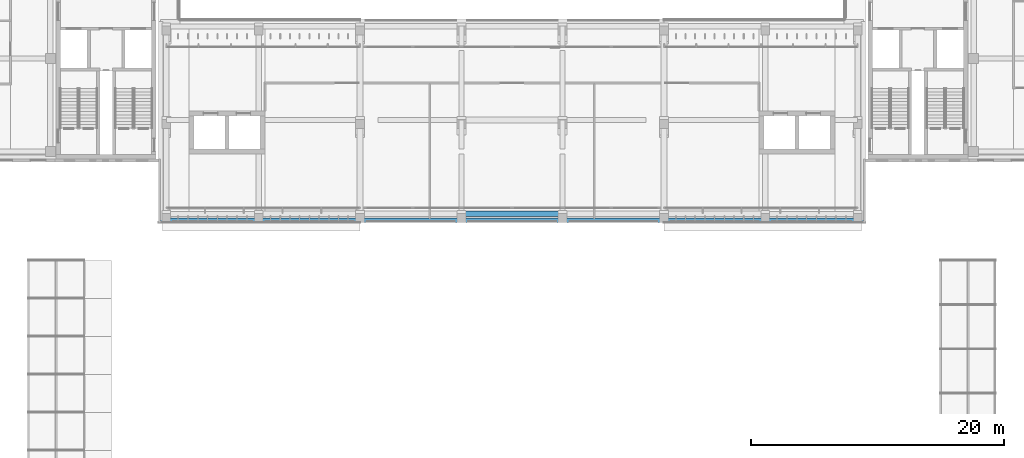
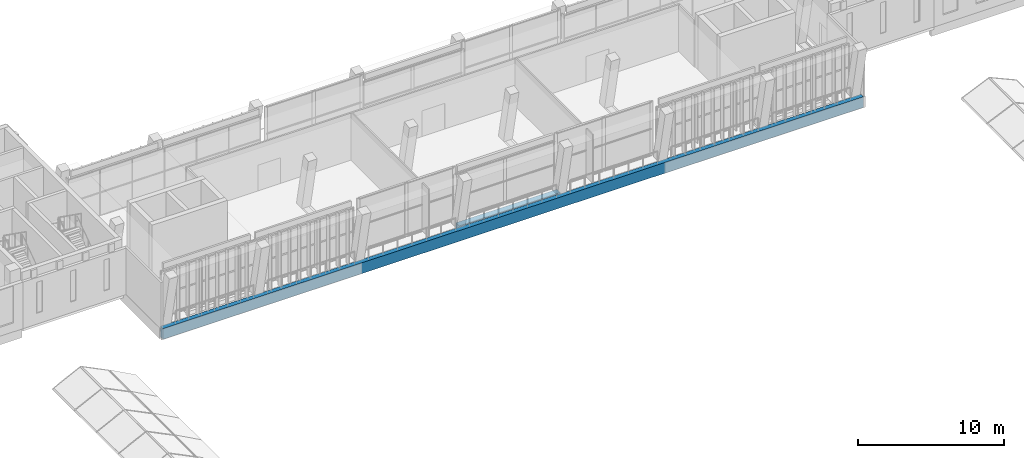
# One storey, part 5 of 73: 2 beams.
"""IFC4 building model written with IfcOpenShell, lengths in metres."""

from ifc_helpers import new_model, si_unit, direction, frame, origin, origin_2d, place, context, subcontext, project, spatial, rectangle, extrude, material, material_profile, profile_set, type_object, element, save


model = new_model("IFC4")

# Units and contexts
model_context = context("Model", 3, precision=1e-05, world=origin(), true_north=direction((0.0, 1.0)))
body_context = subcontext(model_context, "Body", "Model", "MODEL_VIEW")
ifc_project = project(units=[si_unit("LENGTHUNIT", "METRE"), si_unit("AREAUNIT", "SQUARE_METRE"), si_unit("VOLUMEUNIT", "CUBIC_METRE"), si_unit("PLANEANGLEUNIT", "RADIAN"), si_unit("MASSUNIT", "GRAM", prefix="KILO")], contexts=[model_context])

# Site, building, storey
site_placement = place(None, origin())
site = spatial("IfcSite", under=ifc_project, at=site_placement, CompositionType="ELEMENT")
building_placement = place(site_placement, origin())
building = spatial("IfcBuilding", under=site, at=building_placement, Name="Lantern Court Media Centre", CompositionType="ELEMENT")
storey_placement = place(building_placement, frame((0.0, 0.0, 24.0)))
storey = spatial("IfcBuildingStorey", under=building, at=storey_placement, Name="L05", CompositionType="ELEMENT", Elevation=24.0)

# Beams
ifc_material = material(Name="Concrete C35", Category="concrete")
ifc_material_profile_1 = material_profile(ifc_material, rectangle(XDim=0.35009765625, YDim=0.89990234375, at=origin_2d()), Name="RC 350x900")
ifc_profile_set_1 = profile_set([ifc_material_profile_1], Name="Concrete C35")
beam_type_1 = type_object("IfcBeamType", Name="RC BEAM 350x900", PredefinedType="BEAM", material=ifc_profile_set_1)
beam_1_placement = place(storey_placement, frame((24.25, 43.14990234375, -0.449951171875), z_axis=(1.0, 0.0, 0.0), x_axis=(0.0, 1.0, 0.0)))
element("IfcBeam", 1, at=beam_1_placement, inside=storey, type_object=beam_type_1, Name="EB-S-L05-A", PredefinedType="BEAM", context=body_context, shape_type="SweptSolid", body=[
    extrude(rectangle(XDim=0.35009765625, YDim=0.89990234375, at=origin_2d()), origin(), (0.0, 0.0, 1.0), 55.5),
])
ifc_material_profile_2 = material_profile(ifc_material, rectangle(XDim=0.449951171875, YDim=0.699951171875, at=origin_2d()), Name="RC 450x700")
ifc_profile_set_2 = profile_set([ifc_material_profile_2], Name="Concrete C35")
beam_type_2 = type_object("IfcBeamType", Name="RC BEAM 450x700", PredefinedType="BEAM", material=ifc_profile_set_2)
beam_2_placement = place(storey_placement, frame((48.0, 43.6728515625, -0.35009765625), z_axis=(1.0, 0.0, 0.0), x_axis=(0.0, 1.0, 0.0)))
element("IfcBeam", 2, at=beam_2_placement, inside=storey, type_object=beam_type_2, Name="LB-S-L05-0-3", PredefinedType="BEAM", context=body_context, shape_type="SweptSolid", body=[
    extrude(rectangle(XDim=0.449951171875, YDim=0.699951171875, at=origin_2d()), origin(), (0.0, 0.0, 1.0), 8.0),
])

save(model, "model.ifc")
